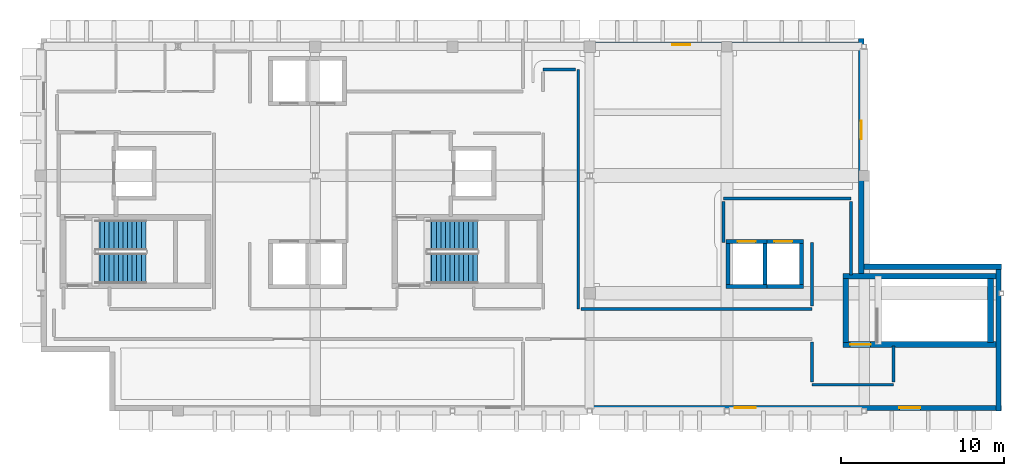
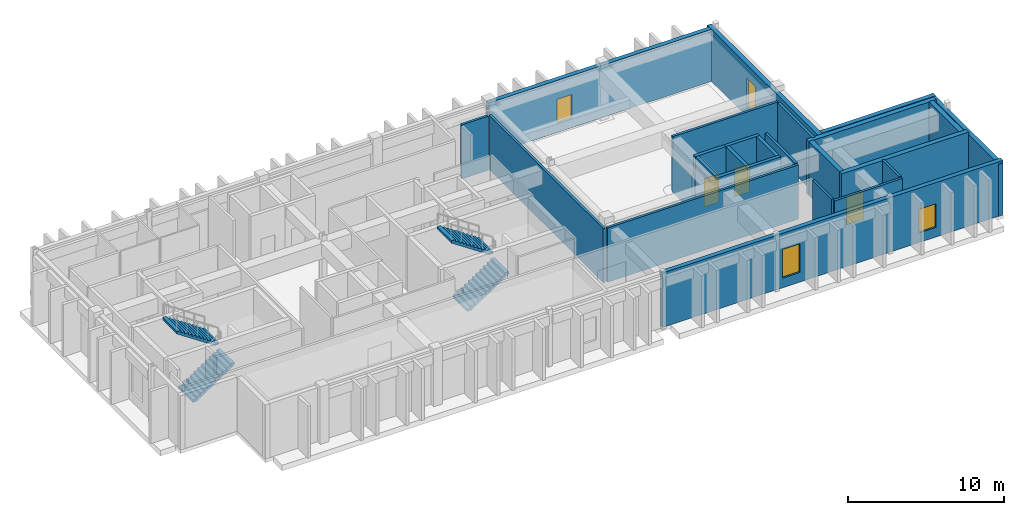
# One storey, part 6 of 8: 26 walls, 4 stair flights, 4 windows, 3 doors, 7 openings, 2 elements without a shape of their own.
"""IFC4 building model written with IfcOpenShell, lengths in metres."""

from ifc_helpers import new_model, si_unit, direction, frame, frame_2d, origin, place, context, subcontext, project, spatial, polyline, rectangle, outline, extrude, material, layer, layer_set, type_object, element, fill, aggregate, save


model = new_model("IFC4")

# Units and contexts
model_context = context("Model", 3, precision=1e-05, world=origin(), true_north=direction((0.0, 1.0)))
body_context = subcontext(model_context, "Body", "Model", "MODEL_VIEW")
ifc_project = project(units=[si_unit("LENGTHUNIT", "METRE"), si_unit("AREAUNIT", "SQUARE_METRE"), si_unit("VOLUMEUNIT", "CUBIC_METRE"), si_unit("PLANEANGLEUNIT", "RADIAN"), si_unit("MASSUNIT", "GRAM", prefix="KILO")], contexts=[model_context])

# Site, building, storey
site_placement = place(None, origin())
site = spatial("IfcSite", under=ifc_project, at=site_placement, CompositionType="ELEMENT")
building_placement = place(site_placement, origin())
building = spatial("IfcBuilding", under=site, at=building_placement, Name="Quendrovan Civic Courthouse", CompositionType="ELEMENT")
storey_placement = place(building_placement, frame((0.0, 0.0, 35.699951171875)))
storey = spatial("IfcBuildingStorey", under=building, at=storey_placement, Name="L08", CompositionType="ELEMENT", Elevation=35.699951171875)

# Wall, opening, door
ifc_material_1 = material(Name="Concrete C45/55", Category="concrete")
ifc_layer_1 = layer(ifc_material_1, 0.35009765625, Name="Concrete C45/55")
ifc_layer_set_1 = layer_set([ifc_layer_1], Name="Concrete C45/55")
wall_type_1 = type_object("IfcWallType", Name="WL-CORE-350", PredefinedType="SHEAR", material=ifc_layer_set_1)
wall_1_placement = place(storey_placement, frame((82.68994140625, 91.6650390625, 0.0), z_axis=(0.0, 0.0, 1.0), x_axis=(1.0, 0.0, 0.0)))
wall_1 = element("IfcWall", 1, at=wall_1_placement, inside=storey, type_object=wall_type_1, Name="L08 Core Shear Wall ST3-S", PredefinedType="SHEAR", context=body_context, shape_type="SweptSolid", body=[
    extrude(rectangle(XDim=9.41015625, YDim=0.35009765625, at=frame_2d((4.705078125, 0.0))), origin(), (0.0, 0.0, 1.0), 4.239990234375),
])
opening_1_placement = place(wall_1_placement, frame((0.449951171875, 0.0, 0.0)))
opening_1 = element("IfcOpeningElement", 2, at=opening_1_placement, cuts=wall_1, Name="Opening DS-ST3-L08", PredefinedType="OPENING", context=body_context, shape_type="SweptSolid", body=[
    extrude(rectangle(XDim=1.25, YDim=2.199951171875, at=frame_2d((0.625, 1.10009765625))), frame((0.0, 0.18505859375, 0.0), z_axis=(0.0, -1.0, 0.0), x_axis=(1.0, 0.0, 0.0)), (0.0, 0.0, 1.0), 0.3701171875),
])
ifc_material_2 = material(Name="Painted galvanized hollow-metal steel", Category="steel")
door_type_1 = type_object("IfcDoorType", Name="DR-STAIR-1250", OperationType="NOTDEFINED", PredefinedType="DOOR", material=ifc_material_2)
door_1_placement = place(opening_1_placement, origin())
door_1 = element("IfcDoor", 3, at=door_1_placement, inside=storey, type_object=door_type_1, Name="L08 Exit Stair ST3 Fire Door", OperationType="SINGLE_SWING_RIGHT", OverallHeight=2.199951171875, OverallWidth=1.25, PredefinedType="DOOR", context=body_context, shape_type="SweptSolid", body=[
    extrude(rectangle(XDim=1.25, YDim=2.199951171875, at=frame_2d((0.625, 1.10009765625))), frame((0.0, 0.02490234375, 0.0), z_axis=(0.0, -1.0, 0.0), x_axis=(1.0, 0.0, 0.0)), (0.0, 0.0, 1.0), 0.050048828125),
])
fill(opening_1, door_1)

# Walls
wall_2_placement = place(storey_placement, frame((92.10009765625, 95.8349609375, 0.0), z_axis=(0.0, 0.0, 1.0), x_axis=(-1.0, 0.0, 0.0)))
element("IfcWall", 4, at=wall_2_placement, inside=storey, type_object=wall_type_1, Name="L08 Core Shear Wall ST3-N", PredefinedType="SHEAR", context=body_context, shape_type="SweptSolid", body=[
    extrude(rectangle(XDim=9.41015625, YDim=0.35009765625, at=frame_2d((4.705078125, 0.0))), origin(), (0.0, 0.0, 1.0), 4.239990234375),
])
for number, where, z_axis, x_axis, name in (
    (5, (82.864990234375, 91.800048828125, 0.0), (0.0, 0.0, 1.0), (0.0, 1.0, 0.0), "L08 Core Shear Wall ST3-W"),
    (6, (91.735107421875, 95.699951171875, 0.0), (0.0, 0.0, 1.0), (0.0, -1.0, 0.0), "L08 Core Shear Wall ST3-E"),
):
    element("IfcWall", number, at=place(storey_placement, frame(where, z_axis=z_axis, x_axis=x_axis)), inside=storey, type_object=wall_type_1, Name=name, PredefinedType="SHEAR", context=body_context, shape_type="SweptSolid", body=[
        extrude(rectangle(XDim=3.89990234375, YDim=0.35009765625, at=frame_2d((1.949951171875, 0.0))), origin(), (0.0, 0.0, 1.0), 4.239990234375),
    ])
ifc_material_3 = material(Name="Acoustic gypsum and mineral wool partition")
ifc_layer_2 = layer(ifc_material_3, 0.179931640625, Name="Acoustic gypsum and mineral wool partition")
ifc_layer_set_2 = layer_set([ifc_layer_2], Name="Acoustic gypsum and mineral wool partition")
wall_type_2 = type_object("IfcWallType", Name="WL-CRT-AC180", PredefinedType="PARTITIONING", material=ifc_layer_set_2)
wall_3_placement = place(storey_placement, frame((66.5, 93.85009765625, 0.0), z_axis=(0.0, 0.0, 1.0), x_axis=(0.0, 1.0, 0.0)))
element("IfcWall", 7, at=wall_3_placement, inside=storey, type_object=wall_type_2, Name="L08 Appellate Courtroom Partition 0864", PredefinedType="PARTITIONING", context=body_context, shape_type="SweptSolid", body=[
    extrude(rectangle(XDim=14.64990234375, YDim=0.179931640625, at=frame_2d((7.324951171875, 0.0))), origin(), (0.0, 0.0, 1.0), 4.239990234375),
])
wall_4_placement = place(storey_placement, frame((80.800048828125, 93.85009765625, 0.0), z_axis=(0.0, 0.0, 1.0), x_axis=(-1.0, 0.0, 0.0)))
element("IfcWall", 8, at=wall_4_placement, inside=storey, type_object=wall_type_2, Name="L08 Appellate Courtroom Partition 0865", PredefinedType="PARTITIONING", context=body_context, shape_type="SweptSolid", body=[
    extrude(rectangle(XDim=14.130126953125, YDim=0.179931640625, at=frame_2d((7.06494140625, 0.0))), origin(), (0.0, 0.0, 1.0), 4.239990234375),
])
wall_5_placement = place(storey_placement, frame((83.199951171875, 100.60009765625, 0.0), z_axis=(0.0, 0.0, 1.0), x_axis=(-1.0, 0.0, 0.0)))
element("IfcWall", 9, at=wall_5_placement, inside=storey, type_object=wall_type_2, Name="L08 Appellate Courtroom Partition 0871", PredefinedType="PARTITIONING", context=body_context, shape_type="SweptSolid", body=[
    extrude(rectangle(XDim=7.800048828125, YDim=0.179931640625, at=frame_2d((3.89990234375, 0.0))), origin(), (0.0, 0.0, 1.0), 4.239990234375),
])
wall_6_placement = place(storey_placement, frame((80.800048828125, 89.199951171875, 0.0), z_axis=(0.0, 0.0, 1.0), x_axis=(1.0, 0.0, 0.0)))
element("IfcWall", 10, at=wall_6_placement, inside=storey, type_object=wall_type_2, Name="L08 Appellate Courtroom Partition 0875", PredefinedType="PARTITIONING", context=body_context, shape_type="SweptSolid", body=[
    extrude(rectangle(XDim=5.0, YDim=0.179931640625, at=frame_2d((2.5, 0.0))), origin(), (0.0, 0.0, 1.0), 4.239990234375),
])
wall_7_placement = place(storey_placement, frame((83.199951171875, 95.919921875, 0.0), z_axis=(0.0, 0.0, 1.0), x_axis=(0.0, 1.0, 0.0)))
element("IfcWall", 11, at=wall_7_placement, inside=storey, type_object=wall_type_2, Name="L08 Appellate Courtroom Partition 0876", PredefinedType="PARTITIONING", context=body_context, shape_type="SweptSolid", body=[
    extrude(rectangle(XDim=4.510009765625, YDim=0.179931640625, at=frame_2d((2.2548828125, 0.0))), origin(), (0.0, 0.0, 1.0), 4.239990234375),
])
wall_8_placement = place(storey_placement, frame((80.800048828125, 97.89990234375, 0.0), z_axis=(0.0, 0.0, 1.0), x_axis=(0.0, -1.0, 0.0)))
element("IfcWall", 12, at=wall_8_placement, inside=storey, type_object=wall_type_2, Name="L08 Appellate Courtroom Partition 0880", PredefinedType="PARTITIONING", context=body_context, shape_type="SweptSolid", body=[
    extrude(rectangle(XDim=3.8798828125, YDim=0.179931640625, at=frame_2d((1.93994140625, 0.0))), origin(), (0.0, 0.0, 1.0), 4.239990234375),
])
wall_9_placement = place(storey_placement, frame((80.800048828125, 91.830078125, 0.0), z_axis=(0.0, 0.0, 1.0), x_axis=(0.0, -1.0, 0.0)))
element("IfcWall", 13, at=wall_9_placement, inside=storey, type_object=wall_type_2, Name="L08 Appellate Courtroom Partition 0890", PredefinedType="PARTITIONING", context=body_context, shape_type="SweptSolid", body=[
    extrude(rectangle(XDim=2.4599609375, YDim=0.179931640625, at=frame_2d((1.22998046875, 0.0))), origin(), (0.0, 0.0, 1.0), 4.239990234375),
])
wall_10_placement = place(storey_placement, frame((75.39990234375, 100.429931640625, 0.0), z_axis=(0.0, 0.0, 1.0), x_axis=(0.0, -1.0, 0.0)))
element("IfcWall", 14, at=wall_10_placement, inside=storey, type_object=wall_type_2, Name="L08 Appellate Courtroom Partition 0892", PredefinedType="PARTITIONING", context=body_context, shape_type="SweptSolid", body=[
    extrude(rectangle(XDim=2.530029296875, YDim=0.179931640625, at=frame_2d((1.26513671875, 0.0))), origin(), (0.0, 0.0, 1.0), 2.85009765625),
])
wall_11_placement = place(storey_placement, frame((85.800048828125, 89.3701171875, 0.0), z_axis=(0.0, 0.0, 1.0), x_axis=(0.0, 1.0, 0.0)))
element("IfcWall", 15, at=wall_11_placement, inside=storey, type_object=wall_type_2, Name="L08 Appellate Courtroom Partition 0894", PredefinedType="PARTITIONING", context=body_context, shape_type="SweptSolid", body=[
    extrude(rectangle(XDim=2.2099609375, YDim=0.179931640625, at=frame_2d((1.10498046875, 0.0))), origin(), (0.0, 0.0, 1.0), 4.239990234375),
])
wall_12_placement = place(storey_placement, frame((66.330078125, 108.5, 0.0), z_axis=(0.0, 0.0, 1.0), x_axis=(-1.0, 0.0, 0.0)))
element("IfcWall", 16, at=wall_12_placement, inside=storey, type_object=wall_type_2, Name="L08 Appellate Courtroom Partition 0896", PredefinedType="PARTITIONING", context=body_context, shape_type="SweptSolid", body=[
    extrude(rectangle(XDim=1.97998046875, YDim=0.179931640625, at=frame_2d((0.989990234375, 0.0))), origin(), (0.0, 0.0, 1.0), 4.239990234375),
])

# Wall, opening, window
ifc_material_4 = material(Name="Precast concrete C45/55", Category="concrete")
ifc_layer_3 = layer(ifc_material_4, 0.320068359375, Name="Precast concrete C45/55")
ifc_layer_set_3 = layer_set([ifc_layer_3], Name="Precast concrete C45/55")
wall_type_3 = type_object("IfcWallType", Name="WL-EXT-PC320", PredefinedType="SOLIDWALL", material=ifc_layer_set_3)
wall_13_placement = place(storey_placement, frame((67.199951171875, 110.02001953125, 0.0), z_axis=(0.0, 0.0, 1.0), x_axis=(1.0, 0.0, 0.0)))
wall_13 = element("IfcWall", 17, at=wall_13_placement, inside=storey, type_object=wall_type_3, Name="L08 Exterior Precast Concrete Wall 513", PredefinedType="SOLIDWALL", context=body_context, shape_type="SweptSolid", body=[
    extrude(rectangle(XDim=16.800048828125, YDim=0.320068359375, at=frame_2d((8.39990234375, 0.0))), origin(), (0.0, 0.0, 1.0), 4.080078125),
])
opening_2_placement = place(wall_13_placement, frame((5.0400390625, 0.0, 0.75)))
opening_2 = element("IfcOpeningElement", 18, at=opening_2_placement, cuts=wall_13, Name="Opening W16", PredefinedType="OPENING", context=body_context, shape_type="SweptSolid", body=[
    extrude(rectangle(XDim=1.1201171875, YDim=1.85009765625, at=frame_2d((0.56005859375, 0.925048828125))), frame((0.0, 0.169921875, 0.0), z_axis=(0.0, -1.0, 0.0), x_axis=(1.0, 0.0, 0.0)), (0.0, 0.0, 1.0), 0.340087890625),
])
ifc_material_5 = material(Name="Laminated hurricane-impact low-E glass", Category="glass")
window_type_1 = type_object("IfcWindowType", Name="WIN-SLT-16", PartitioningType="SINGLE_PANEL", PredefinedType="WINDOW", material=ifc_material_5)
window_1_placement = place(opening_2_placement, origin())
window_1 = element("IfcWindow", 19, at=window_1_placement, inside=storey, type_object=window_type_1, Name="L08 Courtroom Shaded Slot Window 0053", OverallHeight=1.85009765625, OverallWidth=1.1201171875, PartitioningType="SINGLE_PANEL", PredefinedType="WINDOW", context=body_context, shape_type="SweptSolid", body=[
    extrude(rectangle(XDim=1.1201171875, YDim=1.85009765625, at=frame_2d((0.56005859375, 0.925048828125))), frame((0.0, 0.030029296875, 0.0), z_axis=(0.0, -1.0, 0.0), x_axis=(1.0, 0.0, 0.0)), (0.0, 0.0, 1.0), 0.06005859375),
])
fill(opening_2, window_1)

wall_14_placement = place(storey_placement, frame((83.820068359375, 110.39990234375, 0.0), z_axis=(0.0, 0.0, 1.0), x_axis=(0.0, -1.0, 0.0)))
wall_14 = element("IfcWall", 20, at=wall_14_placement, inside=storey, type_object=wall_type_3, Name="L08 Exterior Precast Concrete Wall 514", PredefinedType="SOLIDWALL", context=body_context, shape_type="SweptSolid", body=[
    extrude(rectangle(XDim=14.429931640625, YDim=0.320068359375, at=frame_2d((7.21484375, 0.0))), origin(), (0.0, 0.0, 1.0), 4.080078125),
])
opening_3_placement = place(wall_14_placement, frame((5.0400390625, 0.0, 0.75)))
opening_3 = element("IfcOpeningElement", 21, at=opening_3_placement, cuts=wall_14, Name="Opening W17", PredefinedType="OPENING", context=body_context, shape_type="SweptSolid", body=[
    extrude(rectangle(XDim=1.1201171875, YDim=2.25, at=frame_2d((0.56005859375, 1.125))), frame((0.0, 0.169921875, 0.0), z_axis=(0.0, -1.0, 0.0), x_axis=(1.0, 0.0, 0.0)), (0.0, 0.0, 1.0), 0.340087890625),
])
window_type_2 = type_object("IfcWindowType", Name="WIN-SLT-17", PartitioningType="SINGLE_PANEL", PredefinedType="WINDOW", material=ifc_material_5)
window_2_placement = place(opening_3_placement, origin())
window_2 = element("IfcWindow", 22, at=window_2_placement, inside=storey, type_object=window_type_2, Name="L08 Courtroom Shaded Slot Window 0054", OverallHeight=2.25, OverallWidth=1.1201171875, PartitioningType="SINGLE_PANEL", PredefinedType="WINDOW", context=body_context, shape_type="SweptSolid", body=[
    extrude(rectangle(XDim=1.1201171875, YDim=2.25, at=frame_2d((0.56005859375, 1.125))), frame((0.0, 0.030029296875, 0.0), z_axis=(0.0, -1.0, 0.0), x_axis=(1.0, 0.0, 0.0)), (0.0, 0.0, 1.0), 0.06005859375),
])
fill(opening_3, window_2)

# Walls
wall_15_placement = place(storey_placement, frame((84.0, 96.419921875, 0.0), z_axis=(0.0, 0.0, 1.0), x_axis=(1.0, 0.0, 0.0)))
element("IfcWall", 23, at=wall_15_placement, inside=storey, type_object=wall_type_3, Name="L08 Exterior Precast Concrete Wall 515", PredefinedType="SOLIDWALL", context=body_context, shape_type="SweptSolid", body=[
    extrude(rectangle(XDim=8.39990234375, YDim=0.320068359375, at=frame_2d((4.199951171875, 0.0))), origin(), (0.0, 0.0, 1.0), 4.080078125),
])
wall_16_placement = place(storey_placement, frame((92.219970703125, 96.60009765625, 0.0), z_axis=(0.0, 0.0, 1.0), x_axis=(0.0, -1.0, 0.0)))
element("IfcWall", 24, at=wall_16_placement, inside=storey, type_object=wall_type_3, Name="L08 Exterior Precast Concrete Wall 516", PredefinedType="SOLIDWALL", context=body_context, shape_type="SweptSolid", body=[
    extrude(rectangle(XDim=9.0, YDim=0.320068359375, at=frame_2d((4.5, 0.0))), origin(), (0.0, 0.0, 1.0), 4.080078125),
])

# Wall, openings, windows
wall_17_placement = place(storey_placement, frame((92.39990234375, 87.780029296875, 0.0), z_axis=(0.0, 0.0, 1.0), x_axis=(-1.0, 0.0, 0.0)))
wall_17 = element("IfcWall", 25, at=wall_17_placement, inside=storey, type_object=wall_type_3, Name="L08 Exterior Precast Concrete Wall 517", PredefinedType="SOLIDWALL", context=body_context, shape_type="SweptSolid", body=[
    extrude(rectangle(XDim=25.199951171875, YDim=0.320068359375, at=frame_2d((12.60009765625, 0.0))), origin(), (0.0, 0.0, 1.0), 4.260009765625),
])
opening_4_placement = place(wall_17_placement, frame((4.9599609375, 0.0, 0.75)))
opening_4 = element("IfcOpeningElement", 26, at=opening_4_placement, cuts=wall_17, Name="Opening W21", PredefinedType="OPENING", context=body_context, shape_type="SweptSolid", body=[
    extrude(rectangle(XDim=1.280029296875, YDim=1.85009765625, at=frame_2d((0.64013671875, 0.925048828125))), frame((0.0, 0.169921875, 0.0), z_axis=(0.0, -1.0, 0.0), x_axis=(1.0, 0.0, 0.0)), (0.0, 0.0, 1.0), 0.340087890625),
])
opening_5_placement = place(wall_17_placement, frame((15.0400390625, 0.0, 0.75)))
opening_5 = element("IfcOpeningElement", 27, at=opening_5_placement, cuts=wall_17, Name="Opening W22", PredefinedType="OPENING", context=body_context, shape_type="SweptSolid", body=[
    extrude(rectangle(XDim=1.280029296875, YDim=2.25, at=frame_2d((0.64013671875, 1.125))), frame((0.0, 0.169921875, 0.0), z_axis=(0.0, -1.0, 0.0), x_axis=(1.0, 0.0, 0.0)), (0.0, 0.0, 1.0), 0.340087890625),
])
window_type_3 = type_object("IfcWindowType", Name="WIN-SLT-21", PartitioningType="SINGLE_PANEL", PredefinedType="WINDOW", material=ifc_material_5)
window_3_placement = place(opening_4_placement, origin())
window_3 = element("IfcWindow", 28, at=window_3_placement, inside=storey, type_object=window_type_3, Name="L08 Courtroom Shaded Slot Window 0055", OverallHeight=1.85009765625, OverallWidth=1.280029296875, PartitioningType="SINGLE_PANEL", PredefinedType="WINDOW", context=body_context, shape_type="SweptSolid", body=[
    extrude(rectangle(XDim=1.280029296875, YDim=1.85009765625, at=frame_2d((0.64013671875, 0.925048828125))), frame((0.0, 0.030029296875, 0.0), z_axis=(0.0, -1.0, 0.0), x_axis=(1.0, 0.0, 0.0)), (0.0, 0.0, 1.0), 0.06005859375),
])
fill(opening_4, window_3)
window_type_4 = type_object("IfcWindowType", Name="WIN-SLT-22", PartitioningType="SINGLE_PANEL", PredefinedType="WINDOW", material=ifc_material_5)
window_4_placement = place(opening_5_placement, origin())
window_4 = element("IfcWindow", 29, at=window_4_placement, inside=storey, type_object=window_type_4, Name="L08 Courtroom Shaded Slot Window 0056", OverallHeight=2.25, OverallWidth=1.280029296875, PartitioningType="SINGLE_PANEL", PredefinedType="WINDOW", context=body_context, shape_type="SweptSolid", body=[
    extrude(rectangle(XDim=1.280029296875, YDim=2.25, at=frame_2d((0.64013671875, 1.125))), frame((0.0, 0.030029296875, 0.0), z_axis=(0.0, -1.0, 0.0), x_axis=(1.0, 0.0, 0.0)), (0.0, 0.0, 1.0), 0.06005859375),
])
fill(opening_5, window_4)

# Wall
ifc_layer_4 = layer(ifc_material_1, 0.25, Name="Concrete C45/55")
ifc_layer_set_4 = layer_set([ifc_layer_4], Name="Concrete C45/55")
wall_type_4 = type_object("IfcWallType", Name="WL-SHAFT-250", PredefinedType="SHEAR", material=ifc_layer_set_4)
wall_18_placement = place(storey_placement, frame((75.550048828125, 95.22509765625, 0.0), z_axis=(0.0, 0.0, 1.0), x_axis=(1.0, 0.0, 0.0)))
element("IfcWall", 30, at=wall_18_placement, inside=storey, type_object=wall_type_4, Name="L08 Lift Hoistway Wall PL1 -Y", PredefinedType="SHEAR", context=body_context, shape_type="SweptSolid", body=[
    extrude(rectangle(XDim=2.5, YDim=0.25, at=frame_2d((1.25, 0.0))), origin(), (0.0, 0.0, 1.0), 4.239990234375),
])

# Wall, opening, door
wall_19_placement = place(storey_placement, frame((78.050048828125, 97.97509765625, 0.0), z_axis=(0.0, 0.0, 1.0), x_axis=(-1.0, 0.0, 0.0)))
wall_19 = element("IfcWall", 31, at=wall_19_placement, inside=storey, type_object=wall_type_4, Name="L08 Lift Hoistway Wall PL1 +Y", PredefinedType="SHEAR", context=body_context, shape_type="SweptSolid", body=[
    extrude(rectangle(XDim=2.5, YDim=0.25, at=frame_2d((1.25, 0.0))), origin(), (0.0, 0.0, 1.0), 4.239990234375),
])
opening_6_placement = place(wall_19_placement, frame((0.699951171875, 0.0, 0.0)))
opening_6 = element("IfcOpeningElement", 32, at=opening_6_placement, cuts=wall_19, Name="Opening LD-PL1-L08", PredefinedType="OPENING", context=body_context, shape_type="SweptSolid", body=[
    extrude(rectangle(XDim=1.10009765625, YDim=2.199951171875, at=frame_2d((0.550048828125, 1.10009765625))), frame((0.0, 0.135009765625, 0.0), z_axis=(0.0, -1.0, 0.0), x_axis=(1.0, 0.0, 0.0)), (0.0, 0.0, 1.0), 0.27001953125),
])
ifc_material_6 = material(Name="Brushed bronze-anodised stainless steel", Category="steel")
door_type_2 = type_object("IfcDoorType", Name="DR-LIFT-LD-PL", OperationType="NOTDEFINED", PredefinedType="DOOR", material=ifc_material_6)
door_2_placement = place(opening_6_placement, origin())
door_2 = element("IfcDoor", 33, at=door_2_placement, inside=storey, type_object=door_type_2, Name="L08 Lift PL1 Sliding Landing Door", OperationType="SLIDING_TO_LEFT", OverallHeight=2.199951171875, OverallWidth=1.10009765625, PredefinedType="DOOR", context=body_context, shape_type="SweptSolid", body=[
    extrude(rectangle(XDim=1.10009765625, YDim=2.199951171875, at=frame_2d((0.550048828125, 1.10009765625))), frame((0.0, 0.02490234375, 0.0), z_axis=(0.0, -1.0, 0.0), x_axis=(1.0, 0.0, 0.0)), (0.0, 0.0, 1.0), 0.050048828125),
])
fill(opening_6, door_2)

# Walls
for number, where, z_axis, x_axis, name in (
    (34, (75.675048828125, 95.35009765625, 0.0), (0.0, 0.0, 1.0), (0.0, 1.0, 0.0), "L08 Lift Hoistway Wall PL1 -X"),
    (35, (77.925048828125, 97.85009765625, 0.0), (0.0, 0.0, 1.0), (0.0, -1.0, 0.0), "L08 Lift Hoistway Wall PL1 +X"),
    (36, (77.800048828125, 95.22509765625, 0.0), (0.0, 0.0, 1.0), (1.0, 0.0, 0.0), "L08 Lift Hoistway Wall PL2 -Y"),
):
    element("IfcWall", number, at=place(storey_placement, frame(where, z_axis=z_axis, x_axis=x_axis)), inside=storey, type_object=wall_type_4, Name=name, PredefinedType="SHEAR", context=body_context, shape_type="SweptSolid", body=[
        extrude(rectangle(XDim=2.5, YDim=0.25, at=frame_2d((1.25, 0.0))), origin(), (0.0, 0.0, 1.0), 4.239990234375),
    ])

# Wall, opening, door
wall_20_placement = place(storey_placement, frame((80.300048828125, 97.97509765625, 0.0), z_axis=(0.0, 0.0, 1.0), x_axis=(-1.0, 0.0, 0.0)))
wall_20 = element("IfcWall", 37, at=wall_20_placement, inside=storey, type_object=wall_type_4, Name="L08 Lift Hoistway Wall PL2 +Y", PredefinedType="SHEAR", context=body_context, shape_type="SweptSolid", body=[
    extrude(rectangle(XDim=2.5, YDim=0.25, at=frame_2d((1.25, 0.0))), origin(), (0.0, 0.0, 1.0), 4.239990234375),
])
opening_7_placement = place(wall_20_placement, frame((0.699951171875, 0.0, 0.0)))
opening_7 = element("IfcOpeningElement", 38, at=opening_7_placement, cuts=wall_20, Name="Opening LD-PL2-L08", PredefinedType="OPENING", context=body_context, shape_type="SweptSolid", body=[
    extrude(rectangle(XDim=1.10009765625, YDim=2.199951171875, at=frame_2d((0.550048828125, 1.10009765625))), frame((0.0, 0.135009765625, 0.0), z_axis=(0.0, -1.0, 0.0), x_axis=(1.0, 0.0, 0.0)), (0.0, 0.0, 1.0), 0.27001953125),
])
door_3_placement = place(opening_7_placement, origin())
door_3 = element("IfcDoor", 39, at=door_3_placement, inside=storey, type_object=door_type_2, Name="L08 Lift PL2 Sliding Landing Door", OperationType="SLIDING_TO_LEFT", OverallHeight=2.199951171875, OverallWidth=1.10009765625, PredefinedType="DOOR", context=body_context, shape_type="SweptSolid", body=[
    extrude(rectangle(XDim=1.10009765625, YDim=2.199951171875, at=frame_2d((0.550048828125, 1.10009765625))), frame((0.0, 0.02490234375, 0.0), z_axis=(0.0, -1.0, 0.0), x_axis=(1.0, 0.0, 0.0)), (0.0, 0.0, 1.0), 0.050048828125),
])
fill(opening_7, door_3)

# Wall
wall_21_placement = place(storey_placement, frame((80.175048828125, 97.85009765625, 0.0), z_axis=(0.0, 0.0, 1.0), x_axis=(0.0, -1.0, 0.0)))
element("IfcWall", 40, at=wall_21_placement, inside=storey, type_object=wall_type_4, Name="L08 Lift Hoistway Wall PL2 +X", PredefinedType="SHEAR", context=body_context, shape_type="SweptSolid", body=[
    extrude(rectangle(XDim=2.5, YDim=0.25, at=frame_2d((1.25, 0.0))), origin(), (0.0, 0.0, 1.0), 4.239990234375),
])

# Stair, stair flights
ifc_material_7 = material(Name="Concrete C40/50", Category="concrete")
stair_type = type_object("IfcStairType", Name="STR-CORE-4500", PredefinedType="HALF_TURN_STAIR", material=ifc_material_7)
stair_1_placement = place(storey_placement, origin())
stair_1 = element("IfcStair", 41, at=stair_1_placement, inside=storey, type_object=stair_type, Name="L08 West Judicial and Public Exit Stair 1", PredefinedType="HALF_TURN_STAIR")
stair_flight_type = type_object("IfcStairFlightType", Name="FLT-CORE-4500", PredefinedType="STRAIGHT", material=ifc_material_7)
stair_flight_1_placement = place(storey_placement, frame((36.949951171875, 96.324951171875, 0.0), z_axis=(0.0, 0.0, 1.0), x_axis=(1.0, 0.0, 0.0)))
stair_flight_1 = element("IfcStairFlight", 42, at=stair_flight_1_placement, type_object=stair_flight_type, Name="ST1 flight 1", NumberOfRisers=12, NumberOfTreads=11, PredefinedType="STRAIGHT", RiserHeight=0.1875, TreadLength=0.28, context=body_context, shape_type="SweptSolid", body=[
    extrude(outline(polyline([(0.0, 0.0), (0.0, 0.1875), (0.280029296875, 0.1875), (0.280029296875, 0.375), (0.56005859375, 0.375), (0.56005859375, 0.5625), (0.840087890625, 0.5625), (0.840087890625, 0.75), (1.1201171875, 0.75), (1.1201171875, 0.9375), (1.39990234375, 0.9375), (1.39990234375, 1.125), (1.679931640625, 1.125), (1.679931640625, 1.3125), (1.9599609375, 1.3125), (1.9599609375, 1.5), (2.239990234375, 1.5), (2.239990234375, 1.6875), (2.52001953125, 1.6875), (2.52001953125, 1.875), (2.800048828125, 1.875), (2.800048828125, 2.0625), (3.080078125, 2.0625), (3.080078125, 2.25), (3.080078125, 1.882080078125), (0.26953125, 0.0), (0.0, 0.0)])), frame((0.0, 0.925048828125, 0.0), z_axis=(0.0, -1.0, 0.0), x_axis=(1.0, 0.0, 0.0)), (0.0, 0.0, 1.0), 1.85009765625),
])
stair_flight_2_placement = place(storey_placement, frame((40.030029296875, 98.35498046875, 2.25), z_axis=(0.0, 0.0, 1.0), x_axis=(-1.0, 0.0, 0.0)))
stair_flight_2 = element("IfcStairFlight", 43, at=stair_flight_2_placement, type_object=stair_flight_type, Name="ST1 flight 2", NumberOfRisers=12, NumberOfTreads=11, PredefinedType="STRAIGHT", RiserHeight=0.1875, TreadLength=0.28, context=body_context, shape_type="SweptSolid", body=[
    extrude(outline(polyline([(0.0, 0.0), (0.0, 0.1875), (0.280029296875, 0.1875), (0.280029296875, 0.375), (0.56005859375, 0.375), (0.56005859375, 0.5625), (0.840087890625, 0.5625), (0.840087890625, 0.75), (1.1201171875, 0.75), (1.1201171875, 0.9375), (1.39990234375, 0.9375), (1.39990234375, 1.125), (1.679931640625, 1.125), (1.679931640625, 1.3125), (1.9599609375, 1.3125), (1.9599609375, 1.5), (2.239990234375, 1.5), (2.239990234375, 1.6875), (2.52001953125, 1.6875), (2.52001953125, 1.875), (2.800048828125, 1.875), (2.800048828125, 2.0625), (3.080078125, 2.0625), (3.080078125, 2.25), (3.080078125, 1.882080078125), (0.26953125, 0.0), (0.0, 0.0)])), frame((0.0, 0.925048828125, 0.0), z_axis=(0.0, -1.0, 0.0), x_axis=(1.0, 0.0, 0.0)), (0.0, 0.0, 1.0), 1.85009765625),
])
aggregate(stair_1, [stair_flight_1, stair_flight_2])

stair_2_placement = place(storey_placement, origin())
stair_2 = element("IfcStair", 44, at=stair_2_placement, inside=storey, type_object=stair_type, Name="L08 Central Judicial and Firefighting Exit Stair 2", PredefinedType="HALF_TURN_STAIR")
stair_flight_3_placement = place(storey_placement, frame((57.25, 96.324951171875, 0.0), z_axis=(0.0, 0.0, 1.0), x_axis=(1.0, 0.0, 0.0)))
stair_flight_3 = element("IfcStairFlight", 45, at=stair_flight_3_placement, type_object=stair_flight_type, Name="ST2 flight 1", NumberOfRisers=12, NumberOfTreads=11, PredefinedType="STRAIGHT", RiserHeight=0.1875, TreadLength=0.28, context=body_context, shape_type="SweptSolid", body=[
    extrude(outline(polyline([(0.0, 0.0), (0.0, 0.1875), (0.280029296875, 0.1875), (0.280029296875, 0.375), (0.56005859375, 0.375), (0.56005859375, 0.5625), (0.840087890625, 0.5625), (0.840087890625, 0.75), (1.1201171875, 0.75), (1.1201171875, 0.9375), (1.39990234375, 0.9375), (1.39990234375, 1.125), (1.679931640625, 1.125), (1.679931640625, 1.3125), (1.9599609375, 1.3125), (1.9599609375, 1.5), (2.239990234375, 1.5), (2.239990234375, 1.6875), (2.52001953125, 1.6875), (2.52001953125, 1.875), (2.800048828125, 1.875), (2.800048828125, 2.0625), (3.080078125, 2.0625), (3.080078125, 2.25), (3.080078125, 1.882080078125), (0.26953125, 0.0), (0.0, 0.0)])), frame((0.0, 0.925048828125, 0.0), z_axis=(0.0, -1.0, 0.0), x_axis=(1.0, 0.0, 0.0)), (0.0, 0.0, 1.0), 1.85009765625),
])
stair_flight_4_placement = place(storey_placement, frame((60.330078125, 98.35498046875, 2.25), z_axis=(0.0, 0.0, 1.0), x_axis=(-1.0, 0.0, 0.0)))
stair_flight_4 = element("IfcStairFlight", 46, at=stair_flight_4_placement, type_object=stair_flight_type, Name="ST2 flight 2", NumberOfRisers=12, NumberOfTreads=11, PredefinedType="STRAIGHT", RiserHeight=0.1875, TreadLength=0.28, context=body_context, shape_type="SweptSolid", body=[
    extrude(outline(polyline([(0.0, 0.0), (0.0, 0.1875), (0.280029296875, 0.1875), (0.280029296875, 0.375), (0.56005859375, 0.375), (0.56005859375, 0.5625), (0.840087890625, 0.5625), (0.840087890625, 0.75), (1.1201171875, 0.75), (1.1201171875, 0.9375), (1.39990234375, 0.9375), (1.39990234375, 1.125), (1.679931640625, 1.125), (1.679931640625, 1.3125), (1.9599609375, 1.3125), (1.9599609375, 1.5), (2.239990234375, 1.5), (2.239990234375, 1.6875), (2.52001953125, 1.6875), (2.52001953125, 1.875), (2.800048828125, 1.875), (2.800048828125, 2.0625), (3.080078125, 2.0625), (3.080078125, 2.25), (3.080078125, 1.882080078125), (0.26953125, 0.0), (0.0, 0.0)])), frame((0.0, 0.925048828125, 0.0), z_axis=(0.0, -1.0, 0.0), x_axis=(1.0, 0.0, 0.0)), (0.0, 0.0, 1.0), 1.85009765625),
])
aggregate(stair_2, [stair_flight_3, stair_flight_4])

save(model, "model.ifc")
